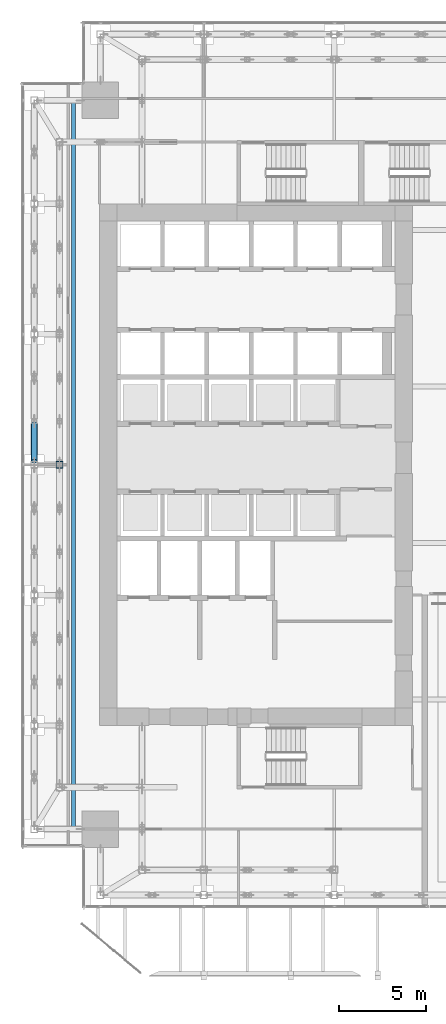
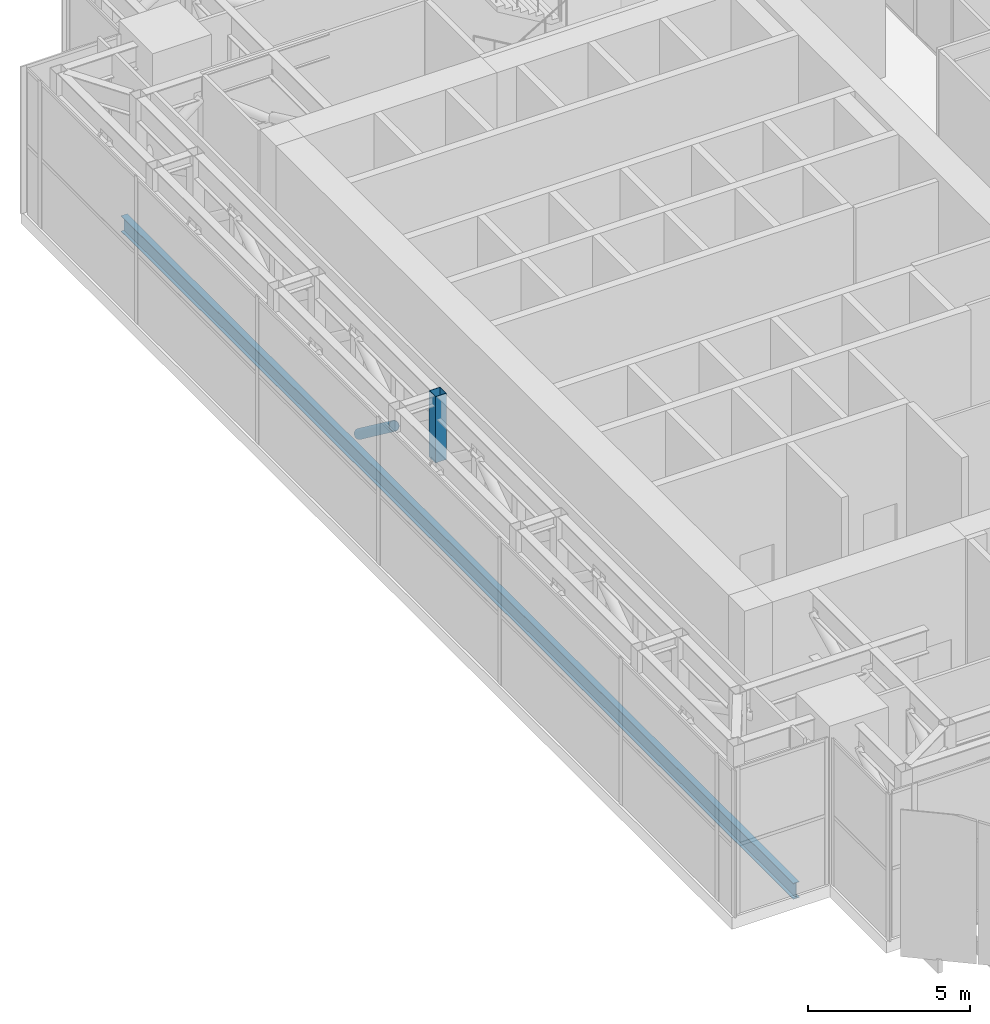
# One storey, part 8 of 47: 2 members, 1 beam.
"""IFC4 building model written with IfcOpenShell, lengths in metres."""

from ifc_helpers import new_model, si_unit, direction, frame, origin, origin_2d, place, context, subcontext, project, spatial, hollow_rectangle, hollow_circle, i_section, extrude, source, transform, mapped, material, material_profile, profile_set, type_object, element, save


model = new_model("IFC4")

# Units and contexts
model_context = context("Model", 3, precision=1e-05, world=origin(), true_north=direction((0.0, 1.0)))
body_context = subcontext(model_context, "Body", "Model", "MODEL_VIEW")
ifc_project = project(units=[si_unit("LENGTHUNIT", "METRE"), si_unit("AREAUNIT", "SQUARE_METRE"), si_unit("VOLUMEUNIT", "CUBIC_METRE"), si_unit("PLANEANGLEUNIT", "RADIAN"), si_unit("MASSUNIT", "GRAM", prefix="KILO")], contexts=[model_context])

# Site, building, storey
site_placement = place(None, origin())
site = spatial("IfcSite", under=ifc_project, at=site_placement, CompositionType="ELEMENT")
building_placement = place(site_placement, origin())
building = spatial("IfcBuilding", under=site, at=building_placement, Name="Khomas Fold Tower", CompositionType="ELEMENT")
storey_placement = place(building_placement, frame((0.0, 0.0, 158.699951171875)))
storey = spatial("IfcBuildingStorey", under=building, at=storey_placement, Name="L34", CompositionType="ELEMENT", Elevation=158.699951171875)

# Beam
ifc_material_1 = material(Name="Steel S355", Category="steel")
ifc_material_profile_1 = material_profile(ifc_material_1, i_section(OverallWidth=0.219970703125, OverallDepth=0.60009765625, WebThickness=0.011962890625, FlangeThickness=0.01904296875, at=origin_2d()), Name="IPE 600")
ifc_profile_set_1 = profile_set([ifc_material_profile_1], Name="Steel S355")
beam_type = type_object("IfcBeamType", Name="IPE 600 beam JB7", PredefinedType="BEAM", material=ifc_profile_set_1)
shared_shape_1 = source(origin(), body_context, "Body", "SweptSolid", [
    extrude(i_section(OverallWidth=0.219970703125, OverallDepth=0.60009765625, WebThickness=0.011962890625, FlangeThickness=0.01904296875, at=origin_2d()), origin(), (0.0, 0.0, 1.0), 41.60009765625),
])
beam_placement = place(storey_placement, frame((4.5, 6.199951171875, -0.75), z_axis=(0.0, 1.0, 0.0), x_axis=(-1.0, 0.0, 0.0)))
element("IfcBeam", 1, at=beam_placement, inside=storey, type_object=beam_type, Name="JB7", PredefinedType="BEAM", context=body_context, shape_type="MappedRepresentation", body=[
    mapped(shared_shape_1, transform((0.0, 0.0, 0.0))),
])

# Members
ifc_material_2 = material(Name="Steel S355", Category="steel")
ifc_material_profile_2 = material_profile(ifc_material_2, hollow_circle(Radius=0.177734375, WallThickness=0.01611328125, at=origin_2d()), Name="CHS 355.6x16")
ifc_profile_set_2 = profile_set([ifc_material_profile_2], Name="Steel S355")
member_type_1 = type_object("IfcMemberType", Name="BELT TRUSS 2 DIAGONAL CHS 355.6x16", PredefinedType="BRACE", material=ifc_profile_set_2)
shared_shape_2 = source(origin(), body_context, "Body", "SweptSolid", [
    extrude(hollow_circle(Radius=0.177734375, WallThickness=0.01611328125, at=origin_2d()), origin(), (0.0, 0.0, 1.0), 2.68603515625),
])
member_1_placement = place(storey_placement, frame((2.25, 29.35009765625, 3.2451171875), z_axis=(0.0, -0.800490552016, 0.599345372998), x_axis=(1.0, 0.0, 0.0)))
element("IfcMember", 2, at=member_1_placement, inside=storey, type_object=member_type_1, Name="BT2-D", PredefinedType="BRACE", context=body_context, shape_type="MappedRepresentation", body=[
    mapped(shared_shape_2, transform((0.0, 0.0, 0.0))),
])
ifc_material_3 = material(Name="Steel S460M", Category="steel")
ifc_material_profile_3 = material_profile(ifc_material_3, hollow_rectangle(XDim=0.39990234375, YDim=0.39990234375, WallThickness=0.01611328125, at=origin_2d()), Name="SHS 400x400x16")
ifc_profile_set_3 = profile_set([ifc_material_profile_3], Name="Steel S460M")
member_type_2 = type_object("IfcMemberType", Name="BELT TRUSS 2 COLUMN POST SHORT SHS 400x400x16", PredefinedType="POST", material=ifc_profile_set_3)
shared_shape_3 = source(origin(), body_context, "Body", "SweptSolid", [
    extrude(hollow_rectangle(XDim=0.39990234375, YDim=0.39990234375, WallThickness=0.01611328125, at=origin_2d()), origin(), (0.0, 0.0, 1.0), 2.5),
])
member_2_placement = place(storey_placement, frame((3.699951171875, 27.0, 3.25), z_axis=(0.0, 0.0, 1.0), x_axis=(1.0, 0.0, 0.0)))
element("IfcMember", 3, at=member_2_placement, inside=storey, type_object=member_type_2, Name="BT2-PS", PredefinedType="POST", context=body_context, shape_type="MappedRepresentation", body=[
    mapped(shared_shape_3, transform((0.0, 0.0, 0.0))),
])

save(model, "model.ifc")
